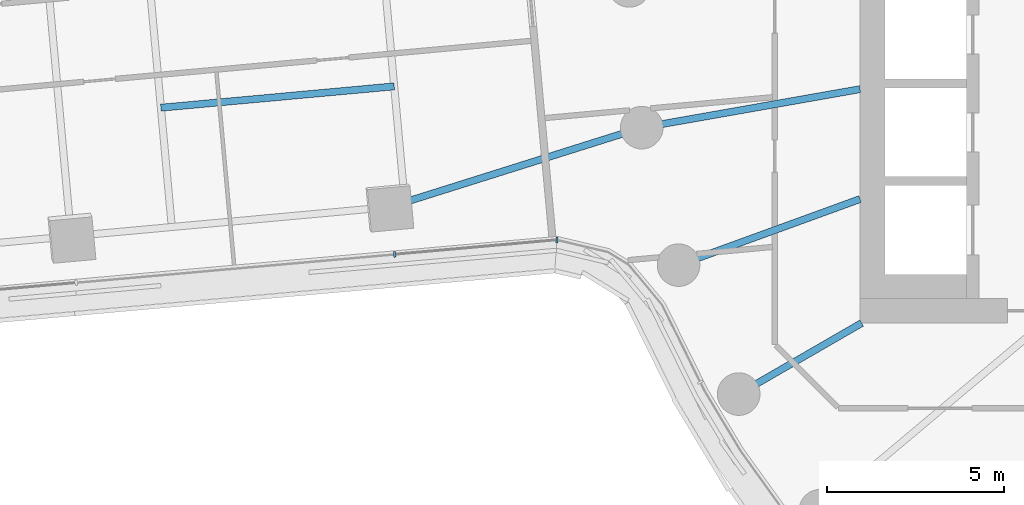
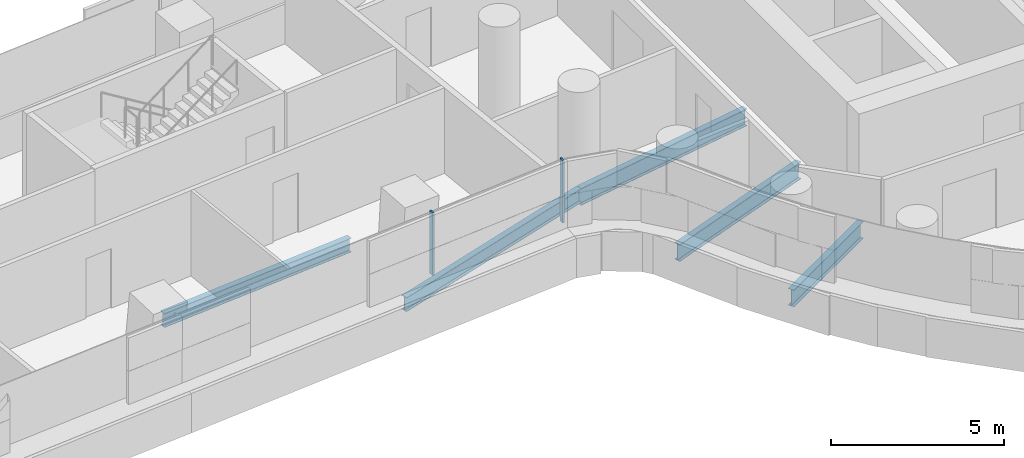
# One storey, part 5 of 31: 5 beams, 2 members, 2 elements without a shape of their own.
"""IFC4 building model written with IfcOpenShell, lengths in metres."""

from ifc_helpers import new_model, si_unit, direction, frame, origin, origin_2d, place, context, subcontext, project, spatial, rectangle, i_section, extrude, material, layer, layer_set, material_profile, profile_set, type_object, element, aggregate, save


model = new_model("IFC4")

# Units and contexts
model_context = context("Model", 3, precision=1e-05, world=origin(), true_north=direction((0.0, 1.0)))
body_context = subcontext(model_context, "Body", "Model", "MODEL_VIEW")
ifc_project = project(units=[si_unit("LENGTHUNIT", "METRE"), si_unit("AREAUNIT", "SQUARE_METRE"), si_unit("VOLUMEUNIT", "CUBIC_METRE"), si_unit("PLANEANGLEUNIT", "RADIAN"), si_unit("MASSUNIT", "GRAM", prefix="KILO")], contexts=[model_context])

# Site, building, storey
site_placement = place(None, origin())
site = spatial("IfcSite", under=ifc_project, at=site_placement, CompositionType="ELEMENT")
building_placement = place(site_placement, origin())
building = spatial("IfcBuilding", under=site, at=building_placement, Name="Tamarind Cross Interchange Tower", CompositionType="ELEMENT")
storey_placement = place(building_placement, frame((0.0, 0.0, 52.75)))
storey = spatial("IfcBuildingStorey", under=building, at=storey_placement, Name="L11", CompositionType="ELEMENT", Elevation=52.75)

# Beams
ifc_material_1 = material(Name="Steel Q355B", Category="steel")
ifc_material_profile_1 = material_profile(ifc_material_1, i_section(OverallWidth=0.198974609375, OverallDepth=0.49609375, WebThickness=0.009033203125, FlangeThickness=0.013916015625, FilletRadius=0.012939453125, at=origin_2d()), Name="HN 496x199x9x14")
ifc_profile_set_1 = profile_set([ifc_material_profile_1], Name="Steel Q355B")
beam_type_1 = type_object("IfcBeamType", Name="Composite beam HN 496x199x9x14 Q355B", PredefinedType="BEAM", material=ifc_profile_set_1)
beam_1_placement = place(storey_placement, frame((-29.7646484375, -6.23291015625, -0.387939453125), z_axis=(0.953871646945, 0.300214725081, 0.0), x_axis=(-0.300214725081, 0.953871646945, 0.0)))
element("IfcBeam", 1, at=beam_1_placement, inside=storey, type_object=beam_type_1, Name="Beam W-linkep", PredefinedType="BEAM", context=body_context, shape_type="SweptSolid", body=[
    extrude(i_section(OverallWidth=0.198974609375, OverallDepth=0.49609375, WebThickness=0.009033203125, FlangeThickness=0.013916015625, FilletRadius=0.012939453125, at=origin_2d()), origin(), (0.0, 0.0, 1.0), 7.4580078125),
])
beam_2_placement = place(storey_placement, frame((-29.6240234375, -2.830810546875, -0.387939453125), z_axis=(-0.99584424524, -0.091072713933, 0.0), x_axis=(0.091072713933, -0.99584424524, 0.0)))
element("IfcBeam", 2, at=beam_2_placement, inside=storey, type_object=beam_type_1, Name="Beam W-stripp", PredefinedType="BEAM", context=body_context, shape_type="SweptSolid", body=[
    extrude(i_section(OverallWidth=0.198974609375, OverallDepth=0.49609375, WebThickness=0.009033203125, FlangeThickness=0.013916015625, FilletRadius=0.012939453125, at=origin_2d()), origin(), (0.0, 0.0, 1.0), 6.599853515625),
])
ifc_material_profile_2 = material_profile(ifc_material_1, i_section(OverallWidth=0.198974609375, OverallDepth=0.595947265625, WebThickness=0.010009765625, FlangeThickness=0.014892578125, FilletRadius=0.012939453125, at=origin_2d()), Name="HN 596x199x10x15")
ifc_profile_set_2 = profile_set([ifc_material_profile_2], Name="Steel Q355B")
beam_type_2 = type_object("IfcBeamType", Name="Composite beam HN 596x199x10x15 Q355B", PredefinedType="BEAM", material=ifc_profile_set_2)
beam_3_placement = place(storey_placement, frame((-22.650634765625, -3.993896484375, -0.43798828125), z_axis=(0.984809127561, 0.173640382036, 0.0), x_axis=(-0.173640382036, 0.984809127561, 0.0)))
element("IfcBeam", 3, at=beam_3_placement, inside=storey, type_object=beam_type_2, Name="Beam HH19", PredefinedType="BEAM", context=body_context, shape_type="SweptSolid", body=[
    extrude(i_section(OverallWidth=0.198974609375, OverallDepth=0.595947265625, WebThickness=0.010009765625, FlangeThickness=0.014892578125, FilletRadius=0.012939453125, at=origin_2d()), origin(), (0.0, 0.0, 1.0), 6.24560546875),
])
beam_4_placement = place(storey_placement, frame((-21.613037109375, -7.866455078125, -0.43798828125), z_axis=(0.939701685589, 0.341995236956, 0.0), x_axis=(-0.341995236956, 0.939701685589, 0.0)))
element("IfcBeam", 4, at=beam_4_placement, inside=storey, type_object=beam_type_2, Name="Beam HH20", PredefinedType="BEAM", context=body_context, shape_type="SweptSolid", body=[
    extrude(i_section(OverallWidth=0.198974609375, OverallDepth=0.595947265625, WebThickness=0.010009765625, FlangeThickness=0.014892578125, FilletRadius=0.012939453125, at=origin_2d()), origin(), (0.0, 0.0, 1.0), 5.441162109375),
])
beam_5_placement = place(storey_placement, frame((-19.918701171875, -11.5, -0.43798828125), z_axis=(0.866026010844, 0.49999894854, 0.0), x_axis=(-0.49999894854, 0.866026010844, 0.0)))
element("IfcBeam", 5, at=beam_5_placement, inside=storey, type_object=beam_type_2, Name="Beam HH21", PredefinedType="BEAM", context=body_context, shape_type="SweptSolid", body=[
    extrude(i_section(OverallWidth=0.198974609375, OverallDepth=0.595947265625, WebThickness=0.010009765625, FlangeThickness=0.014892578125, FilletRadius=0.012939453125, at=origin_2d()), origin(), (0.0, 0.0, 1.0), 4.0),
])

# Curtain wall, member
ifc_material_2 = material(Name="Aluminium 6063-T6", Category="aluminium")
ifc_layer = layer(ifc_material_2, 0.159912109375)
ifc_layer_set = layer_set([ifc_layer], Name="Aluminium 6063-T6")
curtain_wall_type = type_object("IfcCurtainWallType", Name="Office curtain wall, 9.0 m bays", PredefinedType="NOTDEFINED", material=ifc_layer_set)
curtain_wall_1_placement = place(storey_placement, origin())
curtain_wall_1 = element("IfcCurtainWall", 6, at=curtain_wall_1_placement, inside=storey, type_object=curtain_wall_type, Name="CWS-L11-05", PredefinedType="NOTDEFINED")
ifc_material_profile_3 = material_profile(ifc_material_2, rectangle(XDim=0.06005859375, YDim=0.159912109375, at=origin_2d()), Name="Mullion CW1")
ifc_profile_set_3 = profile_set([ifc_material_profile_3], Name="Aluminium 6063-T6")
member_type = type_object("IfcMemberType", Name="Mullion CW1", PredefinedType="MULLION", material=ifc_profile_set_3)
member_1_placement = place(storey_placement, frame((-29.611572265625, -7.56494140625, 1.39990234375), z_axis=(0.0, 0.0, 1.0), x_axis=(0.996059781171, 0.088684340968, 0.0)))
member_1 = element("IfcMember", 7, at=member_1_placement, type_object=member_type, Name="CWM-L11-05-02", PredefinedType="MULLION", context=body_context, shape_type="SweptSolid", body=[
    extrude(rectangle(XDim=0.06005859375, YDim=0.159912109375, at=origin_2d()), origin(), (0.0, 0.0, 1.0), 2.210205078125),
])
aggregate(curtain_wall_1, [member_1])

curtain_wall_2_placement = place(storey_placement, origin())
curtain_wall_2 = element("IfcCurtainWall", 8, at=curtain_wall_2_placement, inside=storey, type_object=curtain_wall_type, Name="CWS-L11-06", PredefinedType="NOTDEFINED")
member_2_placement = place(storey_placement, frame((-25.0390625, -7.15771484375, 1.39990234375), z_axis=(0.0, 0.0, 1.0), x_axis=(0.997462493342, -0.071193920923, 0.0)))
member_2 = element("IfcMember", 9, at=member_2_placement, type_object=member_type, Name="CWM-L11-06-00", PredefinedType="MULLION", context=body_context, shape_type="SweptSolid", body=[
    extrude(rectangle(XDim=0.06005859375, YDim=0.159912109375, at=origin_2d()), origin(), (0.0, 0.0, 1.0), 2.210205078125),
])
aggregate(curtain_wall_2, [member_2])

save(model, "model.ifc")
